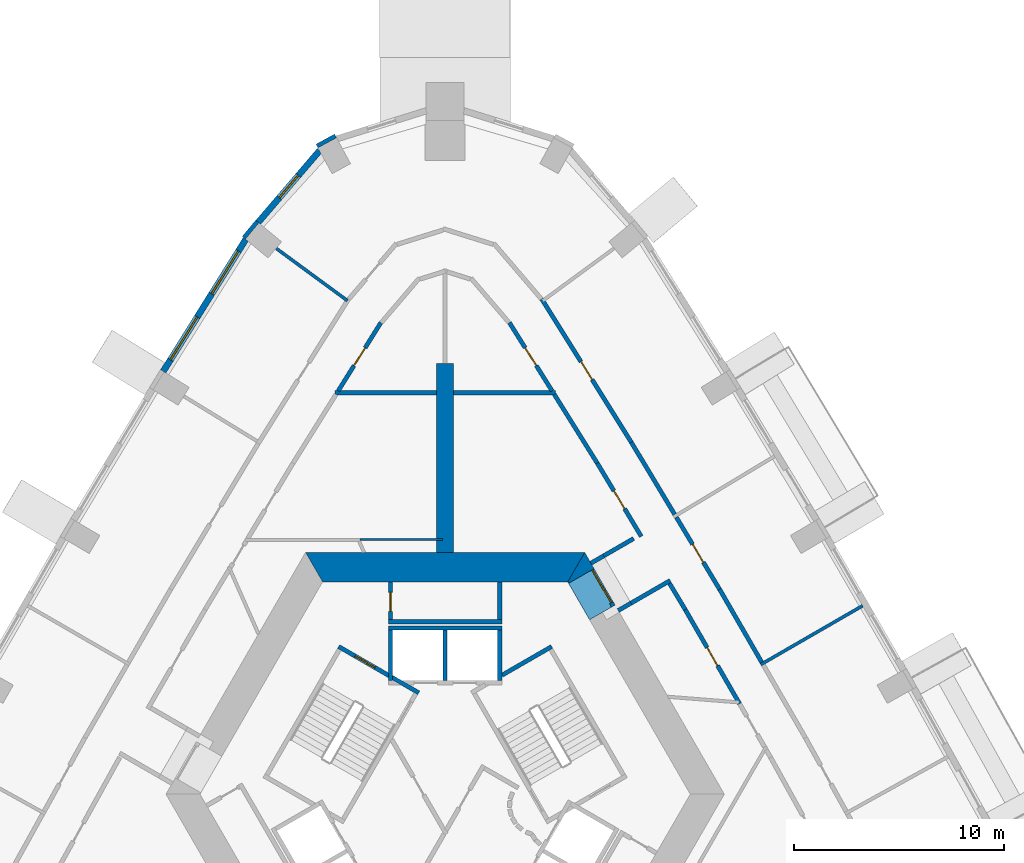
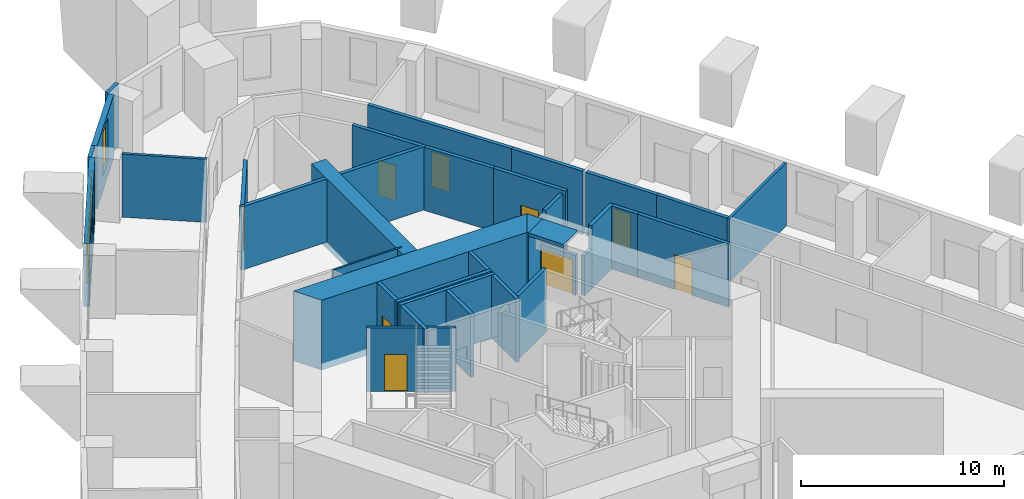
# One storey, part 8 of 13: 37 walls, 9 doors, 3 windows, 12 openings.
"""IFC4 building model written with IfcOpenShell, lengths in metres."""

from ifc_helpers import new_model, si_unit, direction, frame, frame_2d, origin, place, context, subcontext, project, spatial, polyline, rectangle, outline, extrude, material, layer, layer_set, type_object, element, fill, save


model = new_model("IFC4")

# Units and contexts
model_context = context("Model", 3, precision=1e-05, world=origin(), true_north=direction((0.0, 1.0)))
body_context = subcontext(model_context, "Body", "Model", "MODEL_VIEW")
ifc_project = project(units=[si_unit("LENGTHUNIT", "METRE"), si_unit("AREAUNIT", "SQUARE_METRE"), si_unit("VOLUMEUNIT", "CUBIC_METRE"), si_unit("PLANEANGLEUNIT", "RADIAN"), si_unit("MASSUNIT", "GRAM", prefix="KILO")], contexts=[model_context])

# Site, building, storey
site_placement = place(None, origin())
site = spatial("IfcSite", under=ifc_project, at=site_placement, CompositionType="ELEMENT")
building_placement = place(site_placement, origin())
building = spatial("IfcBuilding", under=site, at=building_placement, Name="Entoto Arch Interchange Tower", CompositionType="ELEMENT")
storey_placement = place(building_placement, frame((0.0, 0.0, 227.60009765625)))
storey = spatial("IfcBuildingStorey", under=building, at=storey_placement, Name="L51", CompositionType="ELEMENT", Elevation=227.60009765625)

# Wall
ifc_material_1 = material(Name="Concrete C50/60", Category="concrete")
ifc_layer_1 = layer(ifc_material_1, 0.800048828125)
ifc_layer_set_1 = layer_set([ifc_layer_1], Name="Concrete C50/60")
wall_type_1 = type_object("IfcWallType", Name="Buttress wall 800 C50/60", PredefinedType="SHEAR", material=ifc_layer_set_1)
wall_1_placement = place(storey_placement, frame((0.0, 14.0, -0.400146484375), z_axis=(0.0, 0.0, 1.0), x_axis=(0.0, 1.0, 0.0)))
element("IfcWall", 1, at=wall_1_placement, inside=storey, type_object=wall_type_1, Name="Buttress wall N L51", PredefinedType="SHEAR", context=body_context, shape_type="SweptSolid", body=[
    extrude(rectangle(XDim=9.0, YDim=0.800048828125, at=frame_2d((4.5, 0.0))), origin(), (0.0, 0.0, 1.0), 4.199951171875),
])

# Wall, opening, door
ifc_material_2 = material(Name="Reinforced concrete C40/50", Category="concrete")
ifc_layer_2 = layer(ifc_material_2, 0.199951171875)
ifc_layer_set_2 = layer_set([ifc_layer_2], Name="Reinforced concrete C40/50")
wall_type_2 = type_object("IfcWallType", Name="CORE GAP INFILL WALL", PredefinedType="PARTITIONING", material=ifc_layer_set_2)
wall_2_placement = place(storey_placement, frame((7.9970703125, 11.447998046875, 0.0), z_axis=(0.0, 0.0, 1.0), x_axis=(-0.50002537861, 0.866010750942, 0.0)))
wall_2 = element("IfcWall", 2, at=wall_2_placement, inside=storey, type_object=wall_type_2, Name="wall:L51:gap2", PredefinedType="PARTITIONING", context=body_context, shape_type="SweptSolid", body=[
    extrude(rectangle(XDim=2.0, YDim=0.199951171875, at=frame_2d((1.0, 0.0))), origin(), (0.0, 0.0, 1.0), 2.39990234375),
])
opening_1_placement = place(wall_2_placement, frame((0.18994140625, 0.0, 0.0)))
opening_1 = element("IfcOpeningElement", 3, at=opening_1_placement, cuts=wall_2, Name="Opening L51-D92", PredefinedType="OPENING", context=body_context, shape_type="SweptSolid", body=[
    extrude(rectangle(XDim=1.800048828125, YDim=2.10009765625, at=frame_2d((0.89990234375, 1.050048828125))), frame((0.0, 0.10986328125, 0.0), z_axis=(0.0, -1.0, 0.0), x_axis=(1.0, 0.0, 0.0)), (0.0, 0.0, 1.0), 0.219970703125),
])
ifc_material_3 = material(Name="Fire-rated Steel S235 door and frame", Category="steel")
door_type_1 = type_object("IfcDoorType", Name="DOOR FD-18 1800x2100", OperationType="DOUBLE_DOOR_SINGLE_SWING", PredefinedType="DOOR", material=ifc_material_3)
door_1_placement = place(opening_1_placement, origin())
door_1 = element("IfcDoor", 4, at=door_1_placement, inside=storey, type_object=door_type_1, Name="door:L51:gap2", OperationType="DOUBLE_DOOR_SINGLE_SWING", OverallHeight=2.10009765625, OverallWidth=1.800048828125, PredefinedType="DOOR", context=body_context, shape_type="SweptSolid", body=[
    extrude(rectangle(XDim=1.800048828125, YDim=2.10009765625, at=frame_2d((0.89990234375, 1.050048828125))), frame((0.0, 0.02490234375, 0.0), z_axis=(0.0, -1.0, 0.0), x_axis=(1.0, 0.0, 0.0)), (0.0, 0.0, 1.0), 0.050048828125),
])
fill(opening_1, door_1)

# Walls
ifc_layer_3 = layer(ifc_material_1, 1.39990234375)
ifc_layer_set_3 = layer_set([ifc_layer_3], Name="Concrete C50/60")
wall_type_3 = type_object("IfcWallType", Name="Core wall 1400 C50/60", PredefinedType="SHEAR", material=ifc_layer_set_3)
wall_3_placement = place(storey_placement, frame((0.0, 0.0, -0.400146484375)))
element("IfcWall", 5, at=wall_3_placement, inside=storey, type_object=wall_type_3, Name="Core wall NE L51", PredefinedType="SHEAR", context=body_context, shape_type="SweptSolid", body=[
    extrude(outline(polyline([(5.87109375, 12.530029296875), (7.083984375, 13.22998046875), (6.639892578125, 14.0), (5.8310546875, 12.60009765625), (5.87109375, 12.530029296875)])), origin(), (0.0, 0.0, 1.0), 4.199951171875),
])
wall_4_placement = place(storey_placement, frame((0.0, 0.0, 3.599853515625)))
element("IfcWall", 6, at=wall_4_placement, inside=storey, type_object=wall_type_3, Name="Core wall lintel NE L51", PredefinedType="SHEAR", context=body_context, shape_type="SweptSolid", body=[
    extrude(outline(polyline([(7.083984375, 13.22998046875), (5.87109375, 12.530029296875), (6.87109375, 10.798095703125), (8.083984375, 11.498046875), (7.083984375, 13.22998046875)])), origin(), (0.0, 0.0, 1.0), 0.199951171875),
])
wall_5_placement = place(storey_placement, frame((0.0, 0.0, -0.400146484375)))
element("IfcWall", 7, at=wall_5_placement, inside=storey, type_object=wall_type_3, Name="Core wall N L51", PredefinedType="SHEAR", context=body_context, shape_type="SweptSolid", body=[
    extrude(outline(polyline([(6.639892578125, 14.0), (-6.639892578125, 14.0), (-5.8310546875, 12.60009765625), (5.8310546875, 12.60009765625), (6.639892578125, 14.0)])), origin(), (0.0, 0.0, 1.0), 4.199951171875),
])
ifc_material_4 = material(Name="Concrete C40/50", Category="concrete")
ifc_layer_4 = layer(ifc_material_4, 0.199951171875)
ifc_layer_set_4 = layer_set([ifc_layer_4], Name="Concrete C40/50")
wall_type_4 = type_object("IfcWallType", Name="LIFT SHAFT WALL 200", PredefinedType="STANDARD", material=ifc_layer_set_4)
wall_6_placement = place(storey_placement, frame((2.699951171875, 10.39990234375, 0.0), z_axis=(0.0, 0.0, 1.0), x_axis=(-1.0, 0.0, 0.0)))
element("IfcWall", 8, at=wall_6_placement, inside=storey, type_object=wall_type_4, Name="Shaft wall N1 back", PredefinedType="STANDARD", context=body_context, shape_type="SweptSolid", body=[
    extrude(rectangle(XDim=5.39990234375, YDim=0.199951171875, at=frame_2d((2.699951171875, 0.0))), origin(), (0.0, 0.0, 1.0), 3.7998046875),
])
for number, where, z_axis, x_axis, name in (
    (9, (2.60009765625, 7.89990234375, 0.0), (0.0, 0.0, 1.0), (0.0, 1.0, 0.0), "Shaft wall N1 cross 1"),
    (10, (0.0, 7.89990234375, 0.0), (0.0, 0.0, 1.0), (0.0, 1.0, 0.0), "Shaft wall N1 cross 2"),
    (11, (-2.60009765625, 7.89990234375, 0.0), (0.0, 0.0, 1.0), (0.0, 1.0, 0.0), "Shaft wall N1 cross 3"),
):
    element("IfcWall", number, at=place(storey_placement, frame(where, z_axis=z_axis, x_axis=x_axis)), inside=storey, type_object=wall_type_4, Name=name, PredefinedType="STANDARD", context=body_context, shape_type="SweptSolid", body=[
        extrude(rectangle(XDim=2.400146484375, YDim=0.199951171875, at=frame_2d((1.2001953125, 0.0))), origin(), (0.0, 0.0, 1.0), 3.7998046875),
    ])
ifc_material_5 = material(Name="Gypsum board partition on steel studs", Category="steel")
ifc_layer_5 = layer(ifc_material_5, 0.10009765625)
ifc_layer_set_5 = layer_set([ifc_layer_5], Name="Gypsum board partition on steel studs")
wall_type_5 = type_object("IfcWallType", Name="PARTITION 100", PredefinedType="PARTITIONING", material=ifc_layer_set_5)
wall_7_placement = place(storey_placement, frame((-4.047119140625, 14.612060546875, 0.0), z_axis=(0.0, 0.0, 1.0), x_axis=(1.0, 0.0, 0.0)))
element("IfcWall", 12, at=wall_7_placement, inside=storey, type_object=wall_type_5, Name="wall:L51:p104", PredefinedType="PARTITIONING", context=body_context, shape_type="SweptSolid", body=[
    extrude(rectangle(XDim=3.924072265625, YDim=0.10009765625, at=frame_2d((1.9619140625, 0.0))), origin(), (0.0, 0.0, 1.0), 3.7998046875),
])
ifc_layer_6 = layer(ifc_material_5, 0.14990234375)
ifc_layer_set_6 = layer_set([ifc_layer_6], Name="Gypsum board partition on steel studs")
wall_type_6 = type_object("IfcWallType", Name="PARTITION 150", PredefinedType="PARTITIONING", material=ifc_layer_set_6)
wall_8_placement = place(storey_placement, frame((15.010009765625, 8.6650390625, 0.0), z_axis=(0.0, 0.0, 1.0), x_axis=(0.865961984968, 0.500109828528, 0.0)))
element("IfcWall", 13, at=wall_8_placement, inside=storey, type_object=wall_type_6, Name="wall:L51:p118", PredefinedType="PARTITIONING", context=body_context, shape_type="SweptSolid", body=[
    extrude(rectangle(XDim=5.600830078125, YDim=0.14990234375, at=frame_2d((2.80029296875, 0.0))), origin(), (0.0, 0.0, 1.0), 3.7998046875),
])
wall_9_placement = place(storey_placement, frame((-4.64599609375, 25.97607421875, 0.0), z_axis=(0.0, 0.0, 1.0), x_axis=(-0.806134630684, 0.591732166788, 0.0)))
element("IfcWall", 14, at=wall_9_placement, inside=storey, type_object=wall_type_6, Name="wall:L51:p121", PredefinedType="PARTITIONING", context=body_context, shape_type="SweptSolid", body=[
    extrude(rectangle(XDim=4.192626953125, YDim=0.14990234375, at=frame_2d((2.09619140625, 0.0))), origin(), (0.0, 0.0, 1.0), 3.7998046875),
])

# Wall, opening, door
ifc_layer_7 = layer(ifc_material_5, 0.199951171875)
ifc_layer_set_7 = layer_set([ifc_layer_7], Name="Gypsum board partition on steel studs")
wall_type_7 = type_object("IfcWallType", Name="PARTITION 200", PredefinedType="PARTITIONING", material=ifc_layer_set_7)
wall_10_placement = place(storey_placement, frame((14.006103515625, 6.803955078125, 0.0), z_axis=(0.0, 0.0, 1.0), x_axis=(-0.500032993936, 0.866006353889, 0.0)))
wall_10 = element("IfcWall", 15, at=wall_10_placement, inside=storey, type_object=wall_type_7, Name="wall:L51:p006", PredefinedType="PARTITIONING", context=body_context, shape_type="SweptSolid", body=[
    extrude(rectangle(XDim=5.172119140625, YDim=0.199951171875, at=frame_2d((2.5859375, 0.0))), origin(), (0.0, 0.0, 1.0), 3.7998046875),
])
opening_2_placement = place(wall_10_placement, frame((2.0859375, 0.0, 0.0)))
opening_2 = element("IfcOpeningElement", 16, at=opening_2_placement, cuts=wall_10, Name="Opening L51-D26", PredefinedType="OPENING", context=body_context, shape_type="SweptSolid", body=[
    extrude(rectangle(XDim=1.0, YDim=2.10009765625, at=frame_2d((0.5, 1.050048828125))), frame((0.0, 0.10986328125, 0.0), z_axis=(0.0, -1.0, 0.0), x_axis=(1.0, 0.0, 0.0)), (0.0, 0.0, 1.0), 0.219970703125),
])
ifc_material_6 = material(Name="Timber door leaf in Steel S235 frame", Category="steel")
door_type_2 = type_object("IfcDoorType", Name="DOOR DS-10 1000x2100", OperationType="SINGLE_SWING_LEFT", PredefinedType="DOOR", material=ifc_material_6)
door_2_placement = place(opening_2_placement, origin())
door_2 = element("IfcDoor", 17, at=door_2_placement, inside=storey, type_object=door_type_2, Name="door:L51:26", OperationType="SINGLE_SWING_LEFT", OverallHeight=2.10009765625, OverallWidth=1.0, PredefinedType="DOOR", context=body_context, shape_type="SweptSolid", body=[
    extrude(rectangle(XDim=1.0, YDim=2.10009765625, at=frame_2d((0.5, 1.050048828125))), frame((0.0, 0.02490234375, 0.0), z_axis=(0.0, -1.0, 0.0), x_axis=(1.0, 0.0, 0.0)), (0.0, 0.0, 1.0), 0.050048828125),
])
fill(opening_2, door_2)

# Walls
wall_11_placement = place(storey_placement, frame((11.419921875, 11.282958984375, 0.0), z_axis=(0.0, 0.0, 1.0), x_axis=(-0.514890585899, 0.857255903772, 0.0)))
element("IfcWall", 18, at=wall_11_placement, inside=storey, type_object=wall_type_7, Name="wall:L51:p007", PredefinedType="PARTITIONING", context=body_context, shape_type="SweptSolid", body=[
    extrude(rectangle(XDim=1.454833984375, YDim=0.199951171875, at=frame_2d((0.7275390625, 0.0))), origin(), (0.0, 0.0, 1.0), 3.7998046875),
])
wall_12_placement = place(storey_placement, frame((10.7060546875, 12.666015625, 0.0), z_axis=(0.0, 0.0, 1.0), x_axis=(-0.865862892194, -0.50028137275, 0.0)))
element("IfcWall", 19, at=wall_12_placement, inside=storey, type_object=wall_type_7, Name="wall:L51:p008", PredefinedType="PARTITIONING", context=body_context, shape_type="SweptSolid", body=[
    extrude(rectangle(XDim=2.155029296875, YDim=0.199951171875, at=frame_2d((1.07763671875, 0.0))), origin(), (0.0, 0.0, 1.0), 3.7998046875),
])
wall_13_placement = place(storey_placement, frame((6.93505859375, 13.488037109375, 0.0), z_axis=(0.0, 0.0, 1.0), x_axis=(0.866022890907, 0.500004352405, 0.0)))
element("IfcWall", 20, at=wall_13_placement, inside=storey, type_object=wall_type_7, Name="wall:L51:p009", PredefinedType="PARTITIONING", context=body_context, shape_type="SweptSolid", body=[
    extrude(rectangle(XDim=0.69970703125, YDim=0.199951171875, at=frame_2d((0.349853515625, 0.0))), origin(), (0.0, 0.0, 1.0), 2.39990234375),
])

# Wall, opening, door
wall_14_placement = place(storey_placement, frame((9.33203125, 14.759033203125, 0.0), z_axis=(0.0, 0.0, 1.0), x_axis=(-0.514989912292, 0.857196237881, 0.0)))
wall_14 = element("IfcWall", 21, at=wall_14_placement, inside=storey, type_object=wall_type_7, Name="wall:L51:p010", PredefinedType="PARTITIONING", context=body_context, shape_type="SweptSolid", body=[
    extrude(rectangle(XDim=4.06787109375, YDim=0.199951171875, at=frame_2d((2.033935546875, 0.0))), origin(), (0.0, 0.0, 1.0), 3.7998046875),
])
opening_3_placement = place(wall_14_placement, frame((1.533935546875, 0.0, 0.0)))
opening_3 = element("IfcOpeningElement", 22, at=opening_3_placement, cuts=wall_14, Name="Opening L51-D16", PredefinedType="OPENING", context=body_context, shape_type="SweptSolid", body=[
    extrude(rectangle(XDim=1.0, YDim=2.10009765625, at=frame_2d((0.5, 1.050048828125))), frame((0.0, 0.10986328125, 0.0), z_axis=(0.0, -1.0, 0.0), x_axis=(1.0, 0.0, 0.0)), (0.0, 0.0, 1.0), 0.219970703125),
])
door_3_placement = place(opening_3_placement, origin())
door_3 = element("IfcDoor", 23, at=door_3_placement, inside=storey, type_object=door_type_2, Name="door:L51:16", OperationType="SINGLE_SWING_LEFT", OverallHeight=2.10009765625, OverallWidth=1.0, PredefinedType="DOOR", context=body_context, shape_type="SweptSolid", body=[
    extrude(rectangle(XDim=1.0, YDim=2.10009765625, at=frame_2d((0.5, 1.050048828125))), frame((0.0, 0.02490234375, 0.0), z_axis=(0.0, -1.0, 0.0), x_axis=(1.0, 0.0, 0.0)), (0.0, 0.0, 1.0), 0.050048828125),
])
fill(opening_3, door_3)

# Wall
wall_15_placement = place(storey_placement, frame((7.237060546875, 18.24609375, 0.0), z_axis=(0.0, 0.0, 1.0), x_axis=(-0.530175390862, 0.847887996686, 0.0)))
element("IfcWall", 24, at=wall_15_placement, inside=storey, type_object=wall_type_7, Name="wall:L51:p011", PredefinedType="PARTITIONING", context=body_context, shape_type="SweptSolid", body=[
    extrude(rectangle(XDim=3.855224609375, YDim=0.199951171875, at=frame_2d((1.927734375, 0.0))), origin(), (0.0, 0.0, 1.0), 3.7998046875),
])

# Wall, opening, door
wall_16_placement = place(storey_placement, frame((5.0869140625, 21.68505859375, 0.0), z_axis=(0.0, 0.0, 1.0), x_axis=(-0.529998940003, 0.847998304005, 0.0)))
wall_16 = element("IfcWall", 25, at=wall_16_placement, inside=storey, type_object=wall_type_7, Name="wall:L51:p014", PredefinedType="PARTITIONING", context=body_context, shape_type="SweptSolid", body=[
    extrude(rectangle(XDim=3.830322265625, YDim=0.199951171875, at=frame_2d((1.9150390625, 0.0))), origin(), (0.0, 0.0, 1.0), 3.7998046875),
])
opening_4_placement = place(wall_16_placement, frame((1.416015625, 0.0, 0.0)))
opening_4 = element("IfcOpeningElement", 26, at=opening_4_placement, cuts=wall_16, Name="Opening L51-D18", PredefinedType="OPENING", context=body_context, shape_type="SweptSolid", body=[
    extrude(rectangle(XDim=1.0, YDim=2.10009765625, at=frame_2d((0.5, 1.050048828125))), frame((0.0, 0.10986328125, 0.0), z_axis=(0.0, -1.0, 0.0), x_axis=(1.0, 0.0, 0.0)), (0.0, 0.0, 1.0), 0.219970703125),
])
door_4_placement = place(opening_4_placement, origin())
door_4 = element("IfcDoor", 27, at=door_4_placement, inside=storey, type_object=door_type_2, Name="door:L51:18", OperationType="SINGLE_SWING_LEFT", OverallHeight=2.10009765625, OverallWidth=1.0, PredefinedType="DOOR", context=body_context, shape_type="SweptSolid", body=[
    extrude(rectangle(XDim=1.0, YDim=2.10009765625, at=frame_2d((0.5, 1.050048828125))), frame((0.0, 0.02490234375, 0.0), z_axis=(0.0, -1.0, 0.0), x_axis=(1.0, 0.0, 0.0)), (0.0, 0.0, 1.0), 0.050048828125),
])
fill(opening_4, door_4)

wall_17_placement = place(storey_placement, frame((-3.056884765625, 24.93310546875, 0.0), z_axis=(0.0, 0.0, 1.0), x_axis=(-0.529998940003, -0.847998304005, 0.0)))
wall_17 = element("IfcWall", 28, at=wall_17_placement, inside=storey, type_object=wall_type_7, Name="wall:L51:p019", PredefinedType="PARTITIONING", context=body_context, shape_type="SweptSolid", body=[
    extrude(rectangle(XDim=3.830322265625, YDim=0.199951171875, at=frame_2d((1.9150390625, 0.0))), origin(), (0.0, 0.0, 1.0), 3.7998046875),
])
opening_5_placement = place(wall_17_placement, frame((1.416015625, 0.0, 0.0)))
opening_5 = element("IfcOpeningElement", 29, at=opening_5_placement, cuts=wall_17, Name="Opening L51-D19", PredefinedType="OPENING", context=body_context, shape_type="SweptSolid", body=[
    extrude(rectangle(XDim=1.0, YDim=2.10009765625, at=frame_2d((0.5, 1.050048828125))), frame((0.0, 0.10986328125, 0.0), z_axis=(0.0, -1.0, 0.0), x_axis=(1.0, 0.0, 0.0)), (0.0, 0.0, 1.0), 0.219970703125),
])
door_5_placement = place(opening_5_placement, origin())
door_5 = element("IfcDoor", 30, at=door_5_placement, inside=storey, type_object=door_type_2, Name="door:L51:19", OperationType="SINGLE_SWING_LEFT", OverallHeight=2.10009765625, OverallWidth=1.0, PredefinedType="DOOR", context=body_context, shape_type="SweptSolid", body=[
    extrude(rectangle(XDim=1.0, YDim=2.10009765625, at=frame_2d((0.5, 1.050048828125))), frame((0.0, 0.02490234375, 0.0), z_axis=(0.0, -1.0, 0.0), x_axis=(1.0, 0.0, 0.0)), (0.0, 0.0, 1.0), 0.050048828125),
])
fill(opening_5, door_5)

wall_18_placement = place(storey_placement, frame((10.99609375, 15.678955078125, 0.0), z_axis=(0.0, 0.0, 1.0), x_axis=(0.514800663461, -0.857309907152, 0.0)))
wall_18 = element("IfcWall", 31, at=wall_18_placement, inside=storey, type_object=wall_type_7, Name="wall:L51:p050", PredefinedType="PARTITIONING", context=body_context, shape_type="SweptSolid", body=[
    extrude(rectangle(XDim=4.003173828125, YDim=0.199951171875, at=frame_2d((2.00146484375, 0.0))), origin(), (0.0, 0.0, 1.0), 3.7998046875),
])
opening_6_placement = place(wall_18_placement, frame((1.501953125, 0.0, 0.0)))
opening_6 = element("IfcOpeningElement", 32, at=opening_6_placement, cuts=wall_18, Name="Opening L51-D06", PredefinedType="OPENING", context=body_context, shape_type="SweptSolid", body=[
    extrude(rectangle(XDim=1.0, YDim=2.10009765625, at=frame_2d((0.5, 1.050048828125))), frame((0.0, 0.10986328125, 0.0), z_axis=(0.0, -1.0, 0.0), x_axis=(1.0, 0.0, 0.0)), (0.0, 0.0, 1.0), 0.219970703125),
])
door_6_placement = place(opening_6_placement, origin())
door_6 = element("IfcDoor", 33, at=door_6_placement, inside=storey, type_object=door_type_2, Name="door:L51:06", OperationType="SINGLE_SWING_LEFT", OverallHeight=2.10009765625, OverallWidth=1.0, PredefinedType="DOOR", context=body_context, shape_type="SweptSolid", body=[
    extrude(rectangle(XDim=1.0, YDim=2.10009765625, at=frame_2d((0.5, 1.050048828125))), frame((0.0, 0.02490234375, 0.0), z_axis=(0.0, -1.0, 0.0), x_axis=(1.0, 0.0, 0.0)), (0.0, 0.0, 1.0), 0.050048828125),
])
fill(opening_6, door_6)

# Wall
wall_19_placement = place(storey_placement, frame((13.056884765625, 12.2470703125, 0.0), z_axis=(0.0, 0.0, 1.0), x_axis=(0.500093699572, -0.865971299552, 0.0)))
element("IfcWall", 34, at=wall_19_placement, inside=storey, type_object=wall_type_7, Name="wall:L51:p051", PredefinedType="PARTITIONING", context=body_context, shape_type="SweptSolid", body=[
    extrude(rectangle(XDim=4.003662109375, YDim=0.199951171875, at=frame_2d((2.001953125, 0.0))), origin(), (0.0, 0.0, 1.0), 3.7998046875),
])

# Wall, opening, door
wall_20_placement = place(storey_placement, frame((4.593017578125, 26.06103515625, 0.0), z_axis=(0.0, 0.0, 1.0), x_axis=(0.530012579093, -0.847989779421, 0.0)))
wall_20 = element("IfcWall", 35, at=wall_20_placement, inside=storey, type_object=wall_type_7, Name="wall:L51:p052", PredefinedType="PARTITIONING", context=body_context, shape_type="SweptSolid", body=[
    extrude(rectangle(XDim=8.044921875, YDim=0.199951171875, at=frame_2d((4.0224609375, 0.0))), origin(), (0.0, 0.0, 1.0), 3.7998046875),
])
opening_7_placement = place(wall_20_placement, frame((3.52197265625, 0.0, 0.0)))
opening_7 = element("IfcOpeningElement", 36, at=opening_7_placement, cuts=wall_20, Name="Opening L51-D07", PredefinedType="OPENING", context=body_context, shape_type="SweptSolid", body=[
    extrude(rectangle(XDim=1.0, YDim=2.10009765625, at=frame_2d((0.5, 1.050048828125))), frame((0.0, 0.10986328125, 0.0), z_axis=(0.0, -1.0, 0.0), x_axis=(1.0, 0.0, 0.0)), (0.0, 0.0, 1.0), 0.219970703125),
])
door_7_placement = place(opening_7_placement, origin())
door_7 = element("IfcDoor", 37, at=door_7_placement, inside=storey, type_object=door_type_2, Name="door:L51:07", OperationType="SINGLE_SWING_LEFT", OverallHeight=2.10009765625, OverallWidth=1.0, PredefinedType="DOOR", context=body_context, shape_type="SweptSolid", body=[
    extrude(rectangle(XDim=1.0, YDim=2.10009765625, at=frame_2d((0.5, 1.050048828125))), frame((0.0, 0.02490234375, 0.0), z_axis=(0.0, -1.0, 0.0), x_axis=(1.0, 0.0, 0.0)), (0.0, 0.0, 1.0), 0.050048828125),
])
fill(opening_7, door_7)

# Wall
wall_21_placement = place(storey_placement, frame((8.85693359375, 19.239013671875, 0.0), z_axis=(0.0, 0.0, 1.0), x_axis=(0.514953174362, -0.857218308376, 0.0)))
element("IfcWall", 38, at=wall_21_placement, inside=storey, type_object=wall_type_7, Name="wall:L51:p053", PredefinedType="PARTITIONING", context=body_context, shape_type="SweptSolid", body=[
    extrude(rectangle(XDim=4.00244140625, YDim=0.199951171875, at=frame_2d((2.001220703125, 0.0))), origin(), (0.0, 0.0, 1.0), 3.7998046875),
])

# Wall, opening, door
wall_22_placement = place(storey_placement, frame((-2.60009765625, 10.800048828125, 0.0), z_axis=(0.0, 0.0, 1.0), x_axis=(0.0, 1.0, 0.0)))
wall_22 = element("IfcWall", 39, at=wall_22_placement, inside=storey, type_object=wall_type_7, Name="wall:L51:p071", PredefinedType="PARTITIONING", context=body_context, shape_type="SweptSolid", body=[
    extrude(rectangle(XDim=1.800048828125, YDim=0.199951171875, at=frame_2d((0.89990234375, 0.0))), origin(), (0.0, 0.0, 1.0), 3.7998046875),
])
opening_8_placement = place(wall_22_placement, frame((0.39990234375, 0.0, 0.0)))
opening_8 = element("IfcOpeningElement", 40, at=opening_8_placement, cuts=wall_22, Name="Opening L51-D29", PredefinedType="OPENING", context=body_context, shape_type="SweptSolid", body=[
    extrude(rectangle(XDim=0.89990234375, YDim=2.10009765625, at=frame_2d((0.449951171875, 1.050048828125))), frame((0.0, 0.10986328125, 0.0), z_axis=(0.0, -1.0, 0.0), x_axis=(1.0, 0.0, 0.0)), (0.0, 0.0, 1.0), 0.219970703125),
])
door_type_3 = type_object("IfcDoorType", Name="DOOR DS-09 900x2100", OperationType="SINGLE_SWING_LEFT", PredefinedType="DOOR", material=ifc_material_6)
door_8_placement = place(opening_8_placement, origin())
door_8 = element("IfcDoor", 41, at=door_8_placement, inside=storey, type_object=door_type_3, Name="door:L51:29", OperationType="SINGLE_SWING_RIGHT", OverallHeight=2.10009765625, OverallWidth=0.89990234375, PredefinedType="DOOR", context=body_context, shape_type="SweptSolid", body=[
    extrude(rectangle(XDim=0.89990234375, YDim=2.10009765625, at=frame_2d((0.449951171875, 1.050048828125))), frame((0.0, 0.02490234375, 0.0), z_axis=(0.0, -1.0, 0.0), x_axis=(1.0, 0.0, 0.0)), (0.0, 0.0, 1.0), 0.050048828125),
])
fill(opening_8, door_8)

# Walls
wall_23_placement = place(storey_placement, frame((2.60009765625, 12.60009765625, 0.0), z_axis=(0.0, 0.0, 1.0), x_axis=(0.0, -1.0, 0.0)))
element("IfcWall", 42, at=wall_23_placement, inside=storey, type_object=wall_type_7, Name="wall:L51:p072", PredefinedType="PARTITIONING", context=body_context, shape_type="SweptSolid", body=[
    extrude(rectangle(XDim=1.800048828125, YDim=0.199951171875, at=frame_2d((0.89990234375, 0.0))), origin(), (0.0, 0.0, 1.0), 3.7998046875),
])
wall_24_placement = place(storey_placement, frame((2.699951171875, 10.699951171875, 0.0), z_axis=(0.0, 0.0, 1.0), x_axis=(-1.0, 0.0, 0.0)))
element("IfcWall", 43, at=wall_24_placement, inside=storey, type_object=wall_type_7, Name="wall:L51:p073", PredefinedType="PARTITIONING", context=body_context, shape_type="SweptSolid", body=[
    extrude(rectangle(XDim=5.39990234375, YDim=0.199951171875, at=frame_2d((2.699951171875, 0.0))), origin(), (0.0, 0.0, 1.0), 3.7998046875),
])
for number, where, z_axis, x_axis, name in (
    (44, (0.39990234375, 21.60009765625, 0.0), (0.0, 0.0, 1.0), (1.0, 0.0, 0.0), "wall:L51:p106"),
    (45, (-5.239990234375, 21.60009765625, 0.0), (0.0, 0.0, 1.0), (1.0, 0.0, 0.0), "wall:L51:p107"),
):
    element("IfcWall", number, at=place(storey_placement, frame(where, z_axis=z_axis, x_axis=x_axis)), inside=storey, type_object=wall_type_7, Name=name, PredefinedType="PARTITIONING", context=body_context, shape_type="SweptSolid", body=[
        extrude(rectangle(XDim=4.840087890625, YDim=0.199951171875, at=frame_2d((2.419921875, 0.0))), origin(), (0.0, 0.0, 1.0), 3.7998046875),
    ])
wall_25_placement = place(storey_placement, frame((8.840087890625, 11.587890625, 0.0), z_axis=(0.0, 0.0, 1.0), x_axis=(-0.866110083249, -0.499853302173, 0.0)))
element("IfcWall", 46, at=wall_25_placement, inside=storey, type_object=wall_type_7, Name="wall:L51:p008", PredefinedType="PARTITIONING", context=body_context, shape_type="SweptSolid", body=[
    extrude(rectangle(XDim=0.699951171875, YDim=0.199951171875, at=frame_2d((0.35009765625, 0.0))), origin(), (0.0, 0.0, 1.0), 2.39990234375),
])
wall_26_placement = place(storey_placement, frame((7.541015625, 13.837890625, 0.0), z_axis=(0.0, 0.0, 1.0), x_axis=(0.86593636949, 0.500154180222, 0.0)))
element("IfcWall", 47, at=wall_26_placement, inside=storey, type_object=wall_type_7, Name="wall:L51:p009", PredefinedType="PARTITIONING", context=body_context, shape_type="SweptSolid", body=[
    extrude(rectangle(XDim=1.64794921875, YDim=0.199951171875, at=frame_2d((0.823974609375, 0.0))), origin(), (0.0, 0.0, 1.0), 3.7998046875),
])
ifc_layer_8 = layer(ifc_material_4, 0.199951171875)
ifc_layer_set_8 = layer_set([ifc_layer_8], Name="Concrete C40/50")
wall_type_8 = type_object("IfcWallType", Name="STAIR ENCLOSURE WALL 200", PredefinedType="STANDARD", material=ifc_layer_set_8)
wall_27_placement = place(storey_placement, frame((2.699951171875, 8.157958984375, 0.0), z_axis=(0.0, 0.0, 1.0), x_axis=(0.86611865017, 0.499838457731, 0.0)))
element("IfcWall", 48, at=wall_27_placement, inside=storey, type_object=wall_type_8, Name="Stair wall ST-NE far", PredefinedType="STANDARD", context=body_context, shape_type="SweptSolid", body=[
    extrude(rectangle(XDim=2.73291015625, YDim=0.199951171875, at=frame_2d((1.366455078125, 0.0))), origin(), (0.0, 0.0, 1.0), 3.7998046875),
])

# Wall, opening, door
wall_28_placement = place(storey_placement, frame((-1.256103515625, 7.323974609375, 0.0), z_axis=(0.0, 0.0, 1.0), x_axis=(-0.866046073146, 0.499964197906, 0.0)))
wall_28 = element("IfcWall", 49, at=wall_28_placement, inside=storey, type_object=wall_type_8, Name="Stair wall ST-NW near", PredefinedType="STANDARD", context=body_context, shape_type="SweptSolid", body=[
    extrude(rectangle(XDim=4.400146484375, YDim=0.199951171875, at=frame_2d((2.2001953125, 0.0))), origin(), (0.0, 0.0, 1.0), 3.7998046875),
])
opening_9_placement = place(wall_28_placement, frame((2.39990234375, 0.0, 0.0)))
opening_9 = element("IfcOpeningElement", 50, at=opening_9_placement, cuts=wall_28, Name="Opening SD-ST-NW-L51-E", PredefinedType="OPENING", context=body_context, shape_type="SweptSolid", body=[
    extrude(rectangle(XDim=1.10009765625, YDim=2.199951171875, at=frame_2d((0.550048828125, 1.10009765625))), frame((0.0, 0.10986328125, 0.0), z_axis=(0.0, -1.0, 0.0), x_axis=(1.0, 0.0, 0.0)), (0.0, 0.0, 1.0), 0.219970703125),
])
ifc_material_7 = material(Name="Steel S235", Category="steel")
door_type_4 = type_object("IfcDoorType", Name="STAIR DOOR SD1 1100x2200", OperationType="SINGLE_SWING_LEFT", PredefinedType="DOOR", material=ifc_material_7)
door_9_placement = place(opening_9_placement, origin())
door_9 = element("IfcDoor", 51, at=door_9_placement, inside=storey, type_object=door_type_4, Name="Stair door ST-NW L51 end", OperationType="SINGLE_SWING_LEFT", OverallHeight=2.199951171875, OverallWidth=1.10009765625, PredefinedType="DOOR", context=body_context, shape_type="SweptSolid", body=[
    extrude(rectangle(XDim=1.10009765625, YDim=2.199951171875, at=frame_2d((0.550048828125, 1.10009765625))), frame((0.0, 0.02490234375, 0.0), z_axis=(0.0, -1.0, 0.0), x_axis=(1.0, 0.0, 0.0)), (0.0, 0.0, 1.0), 0.050048828125),
])
fill(opening_9, door_9)

# Wall, opening, window
ifc_material_8 = material(Name="Welded tuff (ignimbrite) cladding, warm buff", Category="masonry")
ifc_layer_9 = layer(ifc_material_8, 0.300048828125)
ifc_layer_set_9 = layer_set([ifc_layer_9], Name="Welded tuff (ignimbrite) cladding, warm buff")
wall_type_9 = type_object("IfcWallType", Name="STONE INFILL WALL 300", PredefinedType="STANDARD", material=ifc_layer_set_9)
wall_29_placement = place(storey_placement, frame((-5.97509765625, 33.114013671875, 0.0), z_axis=(0.0, 0.0, 1.0), x_axis=(-0.649967502437, -0.75996200285, 0.0)))
wall_29 = element("IfcWall", 52, at=wall_29_placement, inside=storey, type_object=wall_type_9, Name="Facade wall N-04 L51", PredefinedType="STANDARD", context=body_context, shape_type="SweptSolid", body=[
    extrude(rectangle(XDim=4.492431640625, YDim=0.300048828125, at=frame_2d((2.24609375, 0.0))), origin(), (0.0, 0.0, 1.0), 3.7998046875),
])
opening_10_placement = place(wall_29_placement, frame((1.5458984375, 0.0, 0.89990234375)))
opening_10 = element("IfcOpeningElement", 53, at=opening_10_placement, cuts=wall_29, Name="Opening WO-B", PredefinedType="OPENING", context=body_context, shape_type="SweptSolid", body=[
    extrude(rectangle(XDim=1.39990234375, YDim=2.60009765625, at=frame_2d((0.699951171875, 1.300048828125))), frame((0.0, 0.16015625, 0.0), z_axis=(0.0, -1.0, 0.0), x_axis=(1.0, 0.0, 0.0)), (0.0, 0.0, 1.0), 0.320068359375),
])
ifc_material_9 = material(Name="Clear glass, low-e double glazed", Category="glass")
window_type_1 = type_object("IfcWindowType", Name="WINDOW WO-B 1400x2600", PartitioningType="DOUBLE_PANEL_VERTICAL", PredefinedType="WINDOW", material=ifc_material_9)
window_1_placement = place(opening_10_placement, origin())
window_1 = element("IfcWindow", 54, at=window_1_placement, inside=storey, type_object=window_type_1, Name="Window WO-B N-04 L51", OverallHeight=2.60009765625, OverallWidth=1.39990234375, PartitioningType="SINGLE_PANEL", PredefinedType="WINDOW", context=body_context, shape_type="SweptSolid", body=[
    extrude(rectangle(XDim=1.39990234375, YDim=2.60009765625, at=frame_2d((0.699951171875, 1.300048828125))), frame((0.0, 0.030029296875, 0.0), z_axis=(0.0, -1.0, 0.0), x_axis=(1.0, 0.0, 0.0)), (0.0, 0.0, 1.0), 0.06005859375),
])
fill(opening_10, window_1)

# Wall, openings, windows
wall_30_placement = place(storey_placement, frame((-9.485107421875, 28.89306640625, 0.0), z_axis=(0.0, 0.0, 1.0), x_axis=(-0.530037467052, -0.847974223383, 0.0)))
wall_30 = element("IfcWall", 55, at=wall_30_placement, inside=storey, type_object=wall_type_9, Name="Facade wall NW-01 L51", PredefinedType="STANDARD", context=body_context, shape_type="SweptSolid", body=[
    extrude(rectangle(XDim=7.40478515625, YDim=0.300048828125, at=frame_2d((3.702392578125, 0.0))), origin(), (0.0, 0.0, 1.0), 3.7998046875),
])
opening_11_placement = place(wall_30_placement, frame((0.65087890625, 0.0, 0.89990234375)))
opening_11 = element("IfcOpeningElement", 56, at=opening_11_placement, cuts=wall_30, Name="Opening WO-A", PredefinedType="OPENING", context=body_context, shape_type="SweptSolid", body=[
    extrude(rectangle(XDim=2.39990234375, YDim=2.60009765625, at=frame_2d((1.199951171875, 1.300048828125))), frame((0.0, 0.16015625, 0.0), z_axis=(0.0, -1.0, 0.0), x_axis=(1.0, 0.0, 0.0)), (0.0, 0.0, 1.0), 0.320068359375),
])
opening_12_placement = place(wall_30_placement, frame((4.35400390625, 0.0, 0.89990234375)))
opening_12 = element("IfcOpeningElement", 57, at=opening_12_placement, cuts=wall_30, Name="Opening WO-A", PredefinedType="OPENING", context=body_context, shape_type="SweptSolid", body=[
    extrude(rectangle(XDim=2.39990234375, YDim=2.60009765625, at=frame_2d((1.199951171875, 1.300048828125))), frame((0.0, 0.16015625, 0.0), z_axis=(0.0, -1.0, 0.0), x_axis=(1.0, 0.0, 0.0)), (0.0, 0.0, 1.0), 0.320068359375),
])
window_type_2 = type_object("IfcWindowType", Name="WINDOW WO-A 2400x2600", PartitioningType="DOUBLE_PANEL_VERTICAL", PredefinedType="WINDOW", material=ifc_material_9)
window_2_placement = place(opening_11_placement, origin())
window_2 = element("IfcWindow", 58, at=window_2_placement, inside=storey, type_object=window_type_2, Name="Window WO-A NW-01 L51", OverallHeight=2.60009765625, OverallWidth=2.39990234375, PartitioningType="SINGLE_PANEL", PredefinedType="WINDOW", context=body_context, shape_type="SweptSolid", body=[
    extrude(rectangle(XDim=2.39990234375, YDim=2.60009765625, at=frame_2d((1.199951171875, 1.300048828125))), frame((0.0, 0.030029296875, 0.0), z_axis=(0.0, -1.0, 0.0), x_axis=(1.0, 0.0, 0.0)), (0.0, 0.0, 1.0), 0.06005859375),
])
fill(opening_11, window_2)
window_3_placement = place(opening_12_placement, origin())
window_3 = element("IfcWindow", 59, at=window_3_placement, inside=storey, type_object=window_type_2, Name="Window WO-A NW-01 L51", OverallHeight=2.60009765625, OverallWidth=2.39990234375, PartitioningType="SINGLE_PANEL", PredefinedType="WINDOW", context=body_context, shape_type="SweptSolid", body=[
    extrude(rectangle(XDim=2.39990234375, YDim=2.60009765625, at=frame_2d((1.199951171875, 1.300048828125))), frame((0.0, 0.030029296875, 0.0), z_axis=(0.0, -1.0, 0.0), x_axis=(1.0, 0.0, 0.0)), (0.0, 0.0, 1.0), 0.06005859375),
])
fill(opening_12, window_3)

# Walls
ifc_layer_10 = layer(ifc_material_8, 0.199951171875)
ifc_layer_set_10 = layer_set([ifc_layer_10], Name="Welded tuff (ignimbrite) cladding, warm buff")
wall_type_10 = type_object("IfcWallType", Name="STONE PIER CLADDING 200", PredefinedType="STANDARD", material=ifc_layer_set_10)
wall_31_placement = place(storey_placement, frame((-5.218017578125, 33.81201171875, 0.0), z_axis=(0.0, 0.0, 1.0), x_axis=(-0.878250009632, -0.478201757191, 0.0)))
element("IfcWall", 60, at=wall_31_placement, inside=storey, type_object=wall_type_10, Name="Stone pier N3 L51", PredefinedType="STANDARD", context=body_context, shape_type="SweptSolid", body=[
    extrude(rectangle(XDim=0.999755859375, YDim=0.199951171875, at=frame_2d((0.5, 0.0))), origin(), (0.0, 0.0, 1.0), 3.7998046875),
])
wall_32_placement = place(storey_placement, frame((-8.93896484375, 29.738037109375, 0.0), z_axis=(0.0, 0.0, 1.0), x_axis=(-0.637972365578, -0.770059257953, 0.0)))
element("IfcWall", 61, at=wall_32_placement, inside=storey, type_object=wall_type_10, Name="Stone pier NW01 L51", PredefinedType="STANDARD", context=body_context, shape_type="SweptSolid", body=[
    extrude(rectangle(XDim=1.0, YDim=0.199951171875, at=frame_2d((0.5, 0.0))), origin(), (0.0, 0.0, 1.0), 3.7998046875),
])

save(model, "model.ifc")
